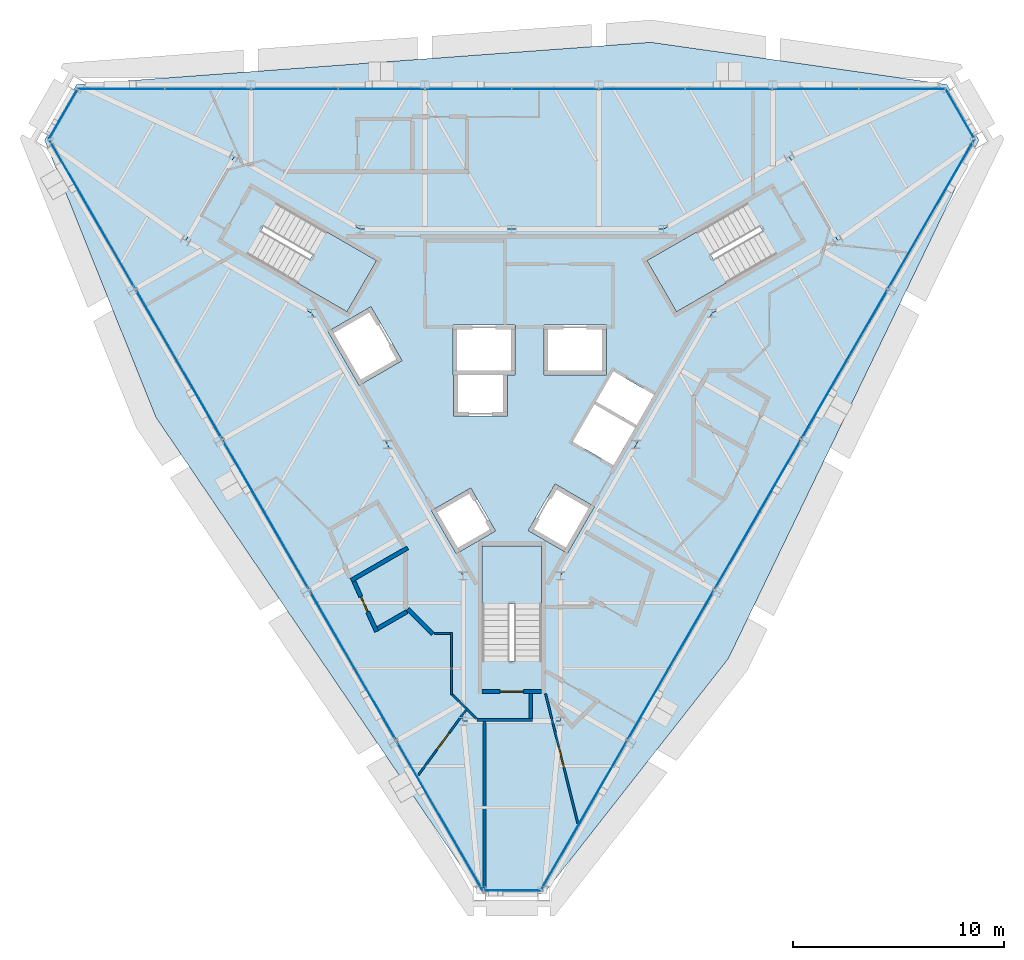
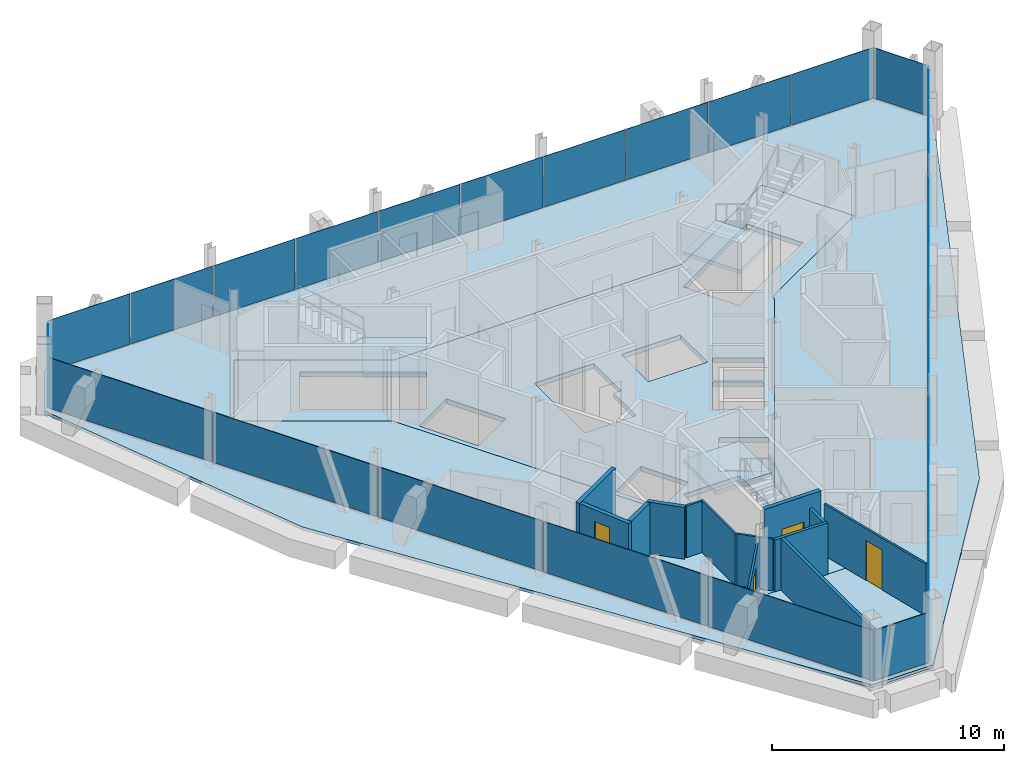
# One storey, part 7 of 11: 23 plates, 13 walls, 5 slabs, 4 doors, 4 openings, 9 elements without a shape of their own.
"""IFC4 building model written with IfcOpenShell, lengths in metres."""

from ifc_helpers import new_model, si_unit, direction, frame, frame_2d, origin, origin_2d, place, context, subcontext, project, spatial, polyline, rectangle, outline, extrude, material, layer, layer_set, type_object, element, fill, aggregate, save


model = new_model("IFC4")

# Units and contexts
model_context = context("Model", 3, precision=1e-05, world=origin(), true_north=direction((0.0, 1.0)))
body_context = subcontext(model_context, "Body", "Model", "MODEL_VIEW")
ifc_project = project(units=[si_unit("LENGTHUNIT", "METRE"), si_unit("AREAUNIT", "SQUARE_METRE"), si_unit("VOLUMEUNIT", "CUBIC_METRE"), si_unit("PLANEANGLEUNIT", "RADIAN"), si_unit("MASSUNIT", "GRAM", prefix="KILO")], contexts=[model_context])

# Site, building, storey
site_placement = place(None, origin())
site = spatial("IfcSite", under=ifc_project, at=site_placement, CompositionType="ELEMENT")
building_placement = place(site_placement, origin())
building = spatial("IfcBuilding", under=site, at=building_placement, Name="Verrane Prism Tower", CompositionType="ELEMENT")
storey_placement = place(building_placement, frame((0.0, 0.0, 267.699951171875)))
storey = spatial("IfcBuildingStorey", under=building, at=storey_placement, Name="L67", CompositionType="ELEMENT", Elevation=267.699951171875)

# Slabs
ifc_material_1 = material(Name="Concrete C35/45", Category="concrete")
ifc_layer_1 = layer(ifc_material_1, 0.159912109375)
ifc_layer_set_1 = layer_set([ifc_layer_1], Name="Composite floor slab")
slab_type_1 = type_object("IfcSlabType", Name="Composite floor slab", PredefinedType="FLOOR", material=ifc_layer_set_1)
slab_1_placement = place(storey_placement, frame((0.0, 0.0, -0.159912109375)))
element("IfcSlab", 1, at=slab_1_placement, inside=storey, type_object=slab_type_1, Name="Floor slab L67", PredefinedType="FLOOR", context=body_context, shape_type="SweptSolid", body=[
    extrude(outline(polyline([(10.256591796875, -13.53515625), (1.51904296875, -24.6689453125), (-1.51904296875, -24.6689453125), (-16.85009765625, -2.114990234375), (-22.12353515625, 11.01904296875), (-20.6044921875, 13.64990234375), (6.593505859375, 15.64990234375), (20.6044921875, 13.64990234375), (22.12353515625, 11.01904296875), (10.256591796875, -13.53515625)]), holes=[polyline([(15.43994140625, 6.260009765625), (13.139892578125, 10.239990234375), (7.179931640625, 6.800048828125), (0.0, 6.800048828125), (-7.179931640625, 6.800048828125), (-13.139892578125, 10.239990234375), (-15.43994140625, 6.260009765625), (-9.47998046875, 2.820068359375), (-5.889892578125, -3.39990234375), (-2.300048828125, -9.6201171875), (-2.300048828125, -16.5), (2.300048828125, -16.5), (2.300048828125, -9.6201171875), (5.889892578125, -3.39990234375), (9.47998046875, 2.820068359375), (15.43994140625, 6.260009765625)])]), origin(), (0.0, 0.0, 1.0), 0.159912109375),
])
ifc_material_2 = material(Name="Concrete C40/50", Category="concrete")
ifc_layer_2 = layer(ifc_material_2, 0.25)
ifc_layer_set_2 = layer_set([ifc_layer_2], Name="Core floor slab 250 concrete C40/50")
slab_type_2 = type_object("IfcSlabType", Name="Core floor slab 250 concrete C40/50", PredefinedType="FLOOR", material=ifc_layer_set_2)
slab_2_placement = place(storey_placement, frame((0.0, 0.0, -0.25)))
element("IfcSlab", 2, at=slab_2_placement, inside=storey, type_object=slab_type_2, Name="Core floor L67", PredefinedType="FLOOR", context=body_context, shape_type="SweptSolid", body=[
    extrude(outline(polyline([(9.47998046875, 2.820068359375), (15.43994140625, 6.260009765625), (13.139892578125, 10.239990234375), (7.179931640625, 6.800048828125), (0.0, 6.800048828125), (-7.179931640625, 6.800048828125), (-13.139892578125, 10.239990234375), (-15.43994140625, 6.260009765625), (-9.47998046875, 2.820068359375), (-5.889892578125, -3.39990234375), (-2.300048828125, -9.6201171875), (-2.300048828125, -16.5), (2.300048828125, -16.5), (2.300048828125, -9.6201171875), (5.889892578125, -3.39990234375), (9.47998046875, 2.820068359375)]), holes=[polyline([(-1.39990234375, -8.199951171875), (1.39990234375, -8.199951171875), (1.39990234375, -13.639892578125), (-1.39990234375, -13.639892578125), (-1.39990234375, -8.199951171875)]), polyline([(-0.76708984375, -7.491943359375), (-2.62890625, -8.56689453125), (-3.803955078125, -6.531982421875), (-1.94189453125, -5.45703125), (-0.76708984375, -7.491943359375)]), polyline([(3.9140625, -6.341064453125), (2.638916015625, -8.550048828125), (0.777099609375, -7.47509765625), (2.052001953125, -5.26611328125), (3.9140625, -6.341064453125)]), polyline([(4.81494140625, -4.37890625), (2.888916015625, -3.26708984375), (3.9130859375, -1.490966796875), (5.841064453125, -2.60302734375), (4.81494140625, -4.37890625)]), polyline([(6.739990234375, -1.044921875), (5.916015625, -2.47412109375), (3.988037109375, -1.361083984375), (4.81396484375, 0.06689453125), (6.739990234375, -1.044921875)]), polyline([(-2.784912109375, -0.10009765625), (-2.784912109375, 2.25), (0.1650390625, 2.25), (0.1650390625, -0.10009765625), (-0.205078125, -0.10009765625), (-0.205078125, -2.050048828125), (-2.7548828125, -2.050048828125), (-2.7548828125, -0.10009765625), (-2.784912109375, -0.10009765625)]), polyline([(4.47509765625, 2.25), (4.47509765625, -0.10009765625), (1.52490234375, -0.10009765625), (1.52490234375, 2.25), (4.47509765625, 2.25)]), polyline([(-8.7041015625, 1.955078125), (-6.66796875, 3.1298828125), (-5.193115234375, 0.574951171875), (-7.22900390625, -0.60009765625), (-8.7041015625, 1.955078125)]), polyline([(-7.801025390625, 2.887939453125), (-12.512939453125, 5.60791015625), (-11.113037109375, 8.031982421875), (-6.40087890625, 5.31201171875), (-7.801025390625, 2.887939453125)]), polyline([(6.40087890625, 5.31201171875), (11.113037109375, 8.031982421875), (12.512939453125, 5.60791015625), (7.801025390625, 2.887939453125), (6.40087890625, 5.31201171875)])]), origin(), (0.0, 0.0, 1.0), 0.25),
])

# Curtain wall, plates
ifc_material_3 = material(Name="Aluminium framed insulated glazing", Category="aluminium")
curtain_wall_type_1 = type_object("IfcCurtainWallType", Name="Curtain wall CW-C 4200 module", PredefinedType="NOTDEFINED", material=ifc_material_3)
curtain_wall_1_placement = place(storey_placement, origin())
curtain_wall_1 = element("IfcCurtainWall", 3, at=curtain_wall_1_placement, inside=storey, type_object=curtain_wall_type_1, Name="Glazed curtain wall north face L67", PredefinedType="NOTDEFINED")
ifc_material_4 = material(Name="Low-iron insulating glass unit", Category="glass")
ifc_layer_3 = layer(ifc_material_4, 0.02392578125)
ifc_layer_set_3 = layer_set([ifc_layer_3], Name="Glazing panel IGU 24")
plate_type_1 = type_object("IfcPlateType", Name="Glazing panel IGU 24", PredefinedType="CURTAIN_PANEL", material=ifc_layer_set_3)
plate_1_placement = place(storey_placement, frame((18.47900390625, 13.447265625, 0.05029296875), z_axis=(0.0, 0.0, 1.0), x_axis=(-1.0, 0.0, 0.0)))
plate_1 = element("IfcPlate", 4, at=plate_1_placement, type_object=plate_type_1, Name="CW66.2 panel 1", PredefinedType="CURTAIN_PANEL", context=body_context, shape_type="SweptSolid", body=[
    extrude(rectangle(XDim=4.0341796875, YDim=0.02392578125, at=origin_2d()), origin(), (0.0, 0.0, 1.0), 2.673095703125),
])
plate_2_placement = place(storey_placement, frame((14.38232421875, 13.447265625, 0.05029296875), z_axis=(0.0, 0.0, 1.0), x_axis=(-1.0, 0.0, 0.0)))
plate_2 = element("IfcPlate", 5, at=plate_2_placement, type_object=plate_type_1, Name="CW66.2 panel 2", PredefinedType="CURTAIN_PANEL", context=body_context, shape_type="SweptSolid", body=[
    extrude(rectangle(XDim=4.059326171875, YDim=0.02392578125, at=origin_2d()), origin(), (0.0, 0.0, 1.0), 2.673095703125),
])
plate_3_placement = place(storey_placement, frame((10.27294921875, 13.447265625, 0.05029296875), z_axis=(0.0, 0.0, 1.0), x_axis=(-1.0, 0.0, 0.0)))
plate_3 = element("IfcPlate", 6, at=plate_3_placement, type_object=plate_type_1, Name="CW66.2 panel 3", PredefinedType="CURTAIN_PANEL", context=body_context, shape_type="SweptSolid", body=[
    extrude(rectangle(XDim=4.059326171875, YDim=0.02392578125, at=origin_2d()), origin(), (0.0, 0.0, 1.0), 2.673095703125),
])
plate_4_placement = place(storey_placement, frame((6.163818359375, 13.447265625, 0.05029296875), z_axis=(0.0, 0.0, 1.0), x_axis=(-1.0, 0.0, 0.0)))
plate_4 = element("IfcPlate", 7, at=plate_4_placement, type_object=plate_type_1, Name="CW66.2 panel 4", PredefinedType="CURTAIN_PANEL", context=body_context, shape_type="SweptSolid", body=[
    extrude(rectangle(XDim=4.059326171875, YDim=0.02392578125, at=origin_2d()), origin(), (0.0, 0.0, 1.0), 2.673095703125),
])
plate_5_placement = place(storey_placement, frame((2.0546875, 13.447265625, 0.05029296875), z_axis=(0.0, 0.0, 1.0), x_axis=(-1.0, 0.0, 0.0)))
plate_5 = element("IfcPlate", 8, at=plate_5_placement, type_object=plate_type_1, Name="CW66.2 panel 5", PredefinedType="CURTAIN_PANEL", context=body_context, shape_type="SweptSolid", body=[
    extrude(rectangle(XDim=4.059326171875, YDim=0.02392578125, at=origin_2d()), origin(), (0.0, 0.0, 1.0), 2.673095703125),
])
plate_6_placement = place(storey_placement, frame((-2.0546875, 13.447265625, 0.05029296875), z_axis=(0.0, 0.0, 1.0), x_axis=(-1.0, 0.0, 0.0)))
plate_6 = element("IfcPlate", 9, at=plate_6_placement, type_object=plate_type_1, Name="CW66.2 panel 6", PredefinedType="CURTAIN_PANEL", context=body_context, shape_type="SweptSolid", body=[
    extrude(rectangle(XDim=4.059326171875, YDim=0.02392578125, at=origin_2d()), origin(), (0.0, 0.0, 1.0), 2.673095703125),
])
plate_7_placement = place(storey_placement, frame((-6.163818359375, 13.447265625, 0.05029296875), z_axis=(0.0, 0.0, 1.0), x_axis=(-1.0, 0.0, 0.0)))
plate_7 = element("IfcPlate", 10, at=plate_7_placement, type_object=plate_type_1, Name="CW66.2 panel 7", PredefinedType="CURTAIN_PANEL", context=body_context, shape_type="SweptSolid", body=[
    extrude(rectangle(XDim=4.059326171875, YDim=0.02392578125, at=origin_2d()), origin(), (0.0, 0.0, 1.0), 2.673095703125),
])
plate_8_placement = place(storey_placement, frame((-10.27294921875, 13.447265625, 0.05029296875), z_axis=(0.0, 0.0, 1.0), x_axis=(-1.0, 0.0, 0.0)))
plate_8 = element("IfcPlate", 11, at=plate_8_placement, type_object=plate_type_1, Name="CW66.2 panel 8", PredefinedType="CURTAIN_PANEL", context=body_context, shape_type="SweptSolid", body=[
    extrude(rectangle(XDim=4.059326171875, YDim=0.02392578125, at=origin_2d()), origin(), (0.0, 0.0, 1.0), 2.673095703125),
])
plate_9_placement = place(storey_placement, frame((-14.38232421875, 13.447265625, 0.05029296875), z_axis=(0.0, 0.0, 1.0), x_axis=(-1.0, 0.0, 0.0)))
plate_9 = element("IfcPlate", 12, at=plate_9_placement, type_object=plate_type_1, Name="CW66.2 panel 9", PredefinedType="CURTAIN_PANEL", context=body_context, shape_type="SweptSolid", body=[
    extrude(rectangle(XDim=4.059326171875, YDim=0.02392578125, at=origin_2d()), origin(), (0.0, 0.0, 1.0), 2.673095703125),
])
plate_10_placement = place(storey_placement, frame((-18.50390625, 13.447265625, 0.05029296875), z_axis=(0.0, 0.0, 1.0), x_axis=(-1.0, 0.0, 0.0)))
plate_10 = element("IfcPlate", 13, at=plate_10_placement, type_object=plate_type_1, Name="CW66.2 panel 10", PredefinedType="CURTAIN_PANEL", context=body_context, shape_type="SweptSolid", body=[
    extrude(rectangle(XDim=4.084228515625, YDim=0.02392578125, at=origin_2d()), origin(), (0.0, 0.0, 1.0), 2.673095703125),
])
aggregate(curtain_wall_1, [plate_1, plate_2, plate_3, plate_4, plate_5, plate_6, plate_7, plate_8, plate_9, plate_10])

# Curtain wall, plate
ifc_material_5 = material(Name="Aluminium framed insulated glazing", Category="aluminium")
curtain_wall_type_2 = type_object("IfcCurtainWallType", Name="Curtain wall CW-A 8400 module", PredefinedType="NOTDEFINED", material=ifc_material_5)
curtain_wall_2_placement = place(storey_placement, origin())
curtain_wall_2 = element("IfcCurtainWall", 14, at=curtain_wall_2_placement, inside=storey, type_object=curtain_wall_type_2, Name="Glazed curtain wall north-east corner L67", PredefinedType="NOTDEFINED")
ifc_material_6 = material(Name="Low-iron insulating glass unit", Category="glass")
ifc_layer_4 = layer(ifc_material_6, 0.031982421875)
ifc_layer_set_4 = layer_set([ifc_layer_4], Name="Glazing panel IGU 32")
plate_type_2 = type_object("IfcPlateType", Name="Glazing panel IGU 32", PredefinedType="CURTAIN_PANEL", material=ifc_layer_set_4)
plate_11_placement = place(storey_placement, frame((21.21484375, 12.288818359375, 0.06982421875), z_axis=(0.0, 0.0, 1.0), x_axis=(-0.500002040855, 0.866024225493, 0.0)))
plate_11 = element("IfcPlate", 15, at=plate_11_placement, type_object=plate_type_2, Name="CW66.1 panel 1", PredefinedType="CURTAIN_PANEL", context=body_context, shape_type="SweptSolid", body=[
    extrude(rectangle(XDim=2.67529296875, YDim=0.031982421875, at=origin_2d()), origin(), (0.0, 0.0, 1.0), 2.653076171875),
])
aggregate(curtain_wall_2, [plate_11])

curtain_wall_3_placement = place(storey_placement, origin())
curtain_wall_3 = element("IfcCurtainWall", 16, at=curtain_wall_3_placement, inside=storey, type_object=curtain_wall_type_2, Name="Glazed curtain wall north-west corner L67", PredefinedType="NOTDEFINED")
plate_12_placement = place(storey_placement, frame((-21.25, 12.228271484375, 0.06982421875), z_axis=(0.0, 0.0, 1.0), x_axis=(-0.500002040855, -0.866024225493, 0.0)))
plate_12 = element("IfcPlate", 17, at=plate_12_placement, type_object=plate_type_2, Name="CW66.3 panel 1", PredefinedType="CURTAIN_PANEL", context=body_context, shape_type="SweptSolid", body=[
    extrude(rectangle(XDim=2.67529296875, YDim=0.031982421875, at=origin_2d()), origin(), (0.0, 0.0, 1.0), 2.653076171875),
])
aggregate(curtain_wall_3, [plate_12])

# Curtain wall, plates
curtain_wall_4_placement = place(storey_placement, origin())
curtain_wall_4 = element("IfcCurtainWall", 18, at=curtain_wall_4_placement, inside=storey, type_object=curtain_wall_type_2, Name="Glazed curtain wall south-west face L67", PredefinedType="NOTDEFINED")
plate_13_placement = place(storey_placement, frame((-15.7548828125, 0.393798828125, 0.06982421875), z_axis=(0.0, 0.0, 1.0), x_axis=(0.500000938868, -0.866024861728, 0.0)))
plate_13 = element("IfcPlate", 19, at=plate_13_placement, type_object=plate_type_2, Name="CW66.4 panel 2", PredefinedType="CURTAIN_PANEL", context=body_context, shape_type="SweptSolid", body=[
    extrude(rectangle(XDim=8.1484375, YDim=0.031982421875, at=origin_2d()), origin(), (0.0, 0.0, 1.0), 2.653076171875),
])
plate_14_placement = place(storey_placement, frame((-11.645751953125, -6.7236328125, 0.06982421875), z_axis=(0.0, 0.0, 1.0), x_axis=(0.500000938868, -0.866024861728, 0.0)))
plate_14 = element("IfcPlate", 20, at=plate_14_placement, type_object=plate_type_2, Name="CW66.4 panel 3", PredefinedType="CURTAIN_PANEL", context=body_context, shape_type="SweptSolid", body=[
    extrude(rectangle(XDim=8.1484375, YDim=0.031982421875, at=origin_2d()), origin(), (0.0, 0.0, 1.0), 2.653076171875),
])
plate_15_placement = place(storey_placement, frame((-7.536376953125, -13.841064453125, 0.06982421875), z_axis=(0.0, 0.0, 1.0), x_axis=(0.500000938868, -0.866024861728, 0.0)))
plate_15 = element("IfcPlate", 21, at=plate_15_placement, type_object=plate_type_2, Name="CW66.4 panel 4", PredefinedType="CURTAIN_PANEL", context=body_context, shape_type="SweptSolid", body=[
    extrude(rectangle(XDim=8.1484375, YDim=0.031982421875, at=origin_2d()), origin(), (0.0, 0.0, 1.0), 2.653076171875),
])

# Curtain wall, plate
curtain_wall_5_placement = place(storey_placement, origin())
curtain_wall_5 = element("IfcCurtainWall", 22, at=curtain_wall_5_placement, inside=storey, type_object=curtain_wall_type_2, Name="Glazed curtain wall south corner L67", PredefinedType="NOTDEFINED")
plate_16_placement = place(storey_placement, frame((0.034912109375, -24.51708984375, 0.06982421875), z_axis=(0.0, 0.0, 1.0), x_axis=(1.0, 0.0, 0.0)))
plate_16 = element("IfcPlate", 23, at=plate_16_placement, type_object=plate_type_2, Name="CW66.5 panel 1", PredefinedType="CURTAIN_PANEL", context=body_context, shape_type="SweptSolid", body=[
    extrude(rectangle(XDim=2.67529296875, YDim=0.031982421875, at=origin_2d()), origin(), (0.0, 0.0, 1.0), 2.653076171875),
])
aggregate(curtain_wall_5, [plate_16])

# Curtain wall, plates
curtain_wall_6_placement = place(storey_placement, origin())
curtain_wall_6 = element("IfcCurtainWall", 24, at=curtain_wall_6_placement, inside=storey, type_object=curtain_wall_type_2, Name="Glazed curtain wall south-east face L67", PredefinedType="NOTDEFINED")
plate_17_placement = place(storey_placement, frame((3.43603515625, -20.943115234375, 0.06982421875), z_axis=(0.0, 0.0, 1.0), x_axis=(0.500000938868, 0.866024861728, 0.0)))
plate_17 = element("IfcPlate", 25, at=plate_17_placement, type_object=plate_type_2, Name="CW66.6 panel 1", PredefinedType="CURTAIN_PANEL", context=body_context, shape_type="SweptSolid", body=[
    extrude(rectangle(XDim=8.113525390625, YDim=0.031982421875, at=origin_2d()), origin(), (0.0, 0.0, 1.0), 2.653076171875),
])
plate_18_placement = place(storey_placement, frame((7.536376953125, -13.841064453125, 0.06982421875), z_axis=(0.0, 0.0, 1.0), x_axis=(0.500000938868, 0.866024861728, 0.0)))
plate_18 = element("IfcPlate", 26, at=plate_18_placement, type_object=plate_type_2, Name="CW66.6 panel 2", PredefinedType="CURTAIN_PANEL", context=body_context, shape_type="SweptSolid", body=[
    extrude(rectangle(XDim=8.1484375, YDim=0.031982421875, at=origin_2d()), origin(), (0.0, 0.0, 1.0), 2.653076171875),
])
plate_19_placement = place(storey_placement, frame((11.645751953125, -6.7236328125, 0.06982421875), z_axis=(0.0, 0.0, 1.0), x_axis=(0.500000938868, 0.866024861728, 0.0)))
plate_19 = element("IfcPlate", 27, at=plate_19_placement, type_object=plate_type_2, Name="CW66.6 panel 3", PredefinedType="CURTAIN_PANEL", context=body_context, shape_type="SweptSolid", body=[
    extrude(rectangle(XDim=8.1484375, YDim=0.031982421875, at=origin_2d()), origin(), (0.0, 0.0, 1.0), 2.653076171875),
])
plate_20_placement = place(storey_placement, frame((15.7548828125, 0.393798828125, 0.06982421875), z_axis=(0.0, 0.0, 1.0), x_axis=(0.500000938868, 0.866024861728, 0.0)))
plate_20 = element("IfcPlate", 28, at=plate_20_placement, type_object=plate_type_2, Name="CW66.6 panel 4", PredefinedType="CURTAIN_PANEL", context=body_context, shape_type="SweptSolid", body=[
    extrude(rectangle(XDim=8.1484375, YDim=0.031982421875, at=origin_2d()), origin(), (0.0, 0.0, 1.0), 2.653076171875),
])

# Stair, slab
ifc_material_7 = material(Name="Concrete C40/50", Category="concrete")
stair_type = type_object("IfcStairType", Name="Exit stair 1300 dog-leg precast concrete C40/50", PredefinedType="HALF_TURN_STAIR", material=ifc_material_7)
stair_1_placement = place(storey_placement, origin())
stair_1 = element("IfcStair", 29, at=stair_1_placement, inside=storey, type_object=stair_type, Name="Stair 1 L67", PredefinedType="HALF_TURN_STAIR")
ifc_material_8 = material(Name="Concrete C40/50", Category="concrete")
ifc_layer_5 = layer(ifc_material_8, 0.199951171875)
ifc_layer_set_5 = layer_set([ifc_layer_5], Name="Stair landing 200 precast concrete C40/50")
slab_type_3 = type_object("IfcSlabType", Name="Stair landing 200 precast concrete C40/50", PredefinedType="LANDING", material=ifc_layer_set_5)
slab_3_placement = place(storey_placement, frame((0.0, 0.0, 1.650146484375)))
slab_3 = element("IfcSlab", 30, at=slab_3_placement, type_object=slab_type_3, Name="Stair 1 landing 1", PredefinedType="LANDING", context=body_context, shape_type="SweptSolid", body=[
    extrude(outline(polyline([(8.791748046875, 6.6923828125), (6.4013671875, 5.3125), (7.801513671875, 2.887451171875), (10.191650390625, 4.267578125), (8.791748046875, 6.6923828125)])), origin(), (0.0, 0.0, 1.0), 0.199951171875),
])
aggregate(stair_1, [slab_3])

stair_2_placement = place(storey_placement, origin())
stair_2 = element("IfcStair", 31, at=stair_2_placement, inside=storey, type_object=stair_type, Name="Stair 2 L67", PredefinedType="HALF_TURN_STAIR")
slab_4_placement = place(storey_placement, frame((0.0, 0.0, 1.650146484375)))
slab_4 = element("IfcSlab", 32, at=slab_4_placement, type_object=slab_type_3, Name="Stair 2 landing 1", PredefinedType="LANDING", context=body_context, shape_type="SweptSolid", body=[
    extrude(outline(polyline([(-10.191650390625, 4.267578125), (-7.801513671875, 2.887451171875), (-6.4013671875, 5.3125), (-8.791748046875, 6.6923828125), (-10.191650390625, 4.267578125)])), origin(), (0.0, 0.0, 1.0), 0.199951171875),
])
aggregate(stair_2, [slab_4])

stair_3_placement = place(storey_placement, origin())
stair_3 = element("IfcStair", 33, at=stair_3_placement, inside=storey, type_object=stair_type, Name="Stair 3 L67", PredefinedType="HALF_TURN_STAIR")
slab_5_placement = place(storey_placement, frame((0.0, 0.0, 1.650146484375)))
slab_5 = element("IfcSlab", 34, at=slab_5_placement, type_object=slab_type_3, Name="Stair 3 landing 1", PredefinedType="LANDING", context=body_context, shape_type="SweptSolid", body=[
    extrude(outline(polyline([(1.39990234375, -10.9599609375), (1.39990234375, -8.199951171875), (-1.39990234375, -8.199951171875), (-1.39990234375, -10.9599609375), (1.39990234375, -10.9599609375)])), origin(), (0.0, 0.0, 1.0), 0.199951171875),
])
aggregate(stair_3, [slab_5])

# Plate
ifc_material_9 = material(Name="Warm limestone cladding", Category="masonry")
ifc_layer_6 = layer(ifc_material_9, 0.028076171875)
ifc_layer_set_6 = layer_set([ifc_layer_6], Name="Stone-faced spandrel panel 28")
plate_type_3 = type_object("IfcPlateType", Name="Stone-faced spandrel panel 28", PredefinedType="CURTAIN_PANEL", material=ifc_layer_set_6)
plate_21_placement = place(storey_placement, frame((-19.855224609375, 7.495849609375, 0.06982421875), z_axis=(0.0, 0.0, 1.0), x_axis=(0.500000938868, -0.866024861728, 0.0)))
plate_21 = element("IfcPlate", 35, at=plate_21_placement, type_object=plate_type_3, Name="CW66.4 panel 1", PredefinedType="CURTAIN_PANEL", context=body_context, shape_type="SweptSolid", body=[
    extrude(rectangle(XDim=8.113525390625, YDim=0.028076171875, at=origin_2d()), origin(), (0.0, 0.0, 1.0), 2.653076171875),
])

plate_22_placement = place(storey_placement, frame((-3.41845703125, -20.973388671875, 0.06982421875), z_axis=(0.0, 0.0, 1.0), x_axis=(0.500000938868, -0.866024861728, 0.0)))
plate_22 = element("IfcPlate", 36, at=plate_22_placement, type_object=plate_type_3, Name="CW66.4 panel 5", PredefinedType="CURTAIN_PANEL", context=body_context, shape_type="SweptSolid", body=[
    extrude(rectangle(XDim=8.183349609375, YDim=0.028076171875, at=origin_2d()), origin(), (0.0, 0.0, 1.0), 2.653076171875),
])

aggregate(curtain_wall_4, [plate_21, plate_13, plate_14, plate_15, plate_22])

plate_23_placement = place(storey_placement, frame((19.872802734375, 7.5263671875, 0.06982421875), z_axis=(0.0, 0.0, 1.0), x_axis=(0.500000938868, 0.866024861728, 0.0)))
plate_23 = element("IfcPlate", 37, at=plate_23_placement, type_object=plate_type_3, Name="CW66.6 panel 5", PredefinedType="CURTAIN_PANEL", context=body_context, shape_type="SweptSolid", body=[
    extrude(rectangle(XDim=8.183349609375, YDim=0.028076171875, at=origin_2d()), origin(), (0.0, 0.0, 1.0), 2.653076171875),
])

aggregate(curtain_wall_6, [plate_17, plate_18, plate_19, plate_20, plate_23])

# Wall, opening, door
ifc_material_10 = material(Name="Concrete C40/50", Category="concrete")
ifc_layer_7 = layer(ifc_material_10, 0.199951171875)
ifc_layer_set_7 = layer_set([ifc_layer_7], Name="CW-200 stair core wall concrete C40/50 3 h")
wall_type_1 = type_object("IfcWallType", Name="CW-200 stair core wall concrete C40/50 3 h", PredefinedType="PARTITIONING", material=ifc_layer_set_7)
wall_1_placement = place(storey_placement, frame((-1.39990234375, -15.10009765625, 0.0), z_axis=(0.0, 0.0, 1.0), x_axis=(1.0, 0.0, 0.0)))
wall_1 = element("IfcWall", 38, at=wall_1_placement, inside=storey, type_object=wall_type_1, Name="Stair 3 enclosure wall", PredefinedType="PARTITIONING", context=body_context, shape_type="SweptSolid", body=[
    extrude(rectangle(XDim=2.7998046875, YDim=0.199951171875, at=frame_2d((1.39990234375, 0.0))), origin(), (0.0, 0.0, 1.0), 3.449951171875),
])
opening_1_placement = place(wall_1_placement, frame((0.85009765625, 0.0, 0.0)))
opening_1 = element("IfcOpeningElement", 39, at=opening_1_placement, cuts=wall_1, Name="Opening D66502", PredefinedType="OPENING", context=body_context, shape_type="SweptSolid", body=[
    extrude(rectangle(XDim=1.10009765625, YDim=2.10009765625, at=frame_2d((0.550048828125, 1.050048828125))), frame((0.0, 0.10986328125, 0.0), z_axis=(0.0, -1.0, 0.0), x_axis=(1.0, 0.0, 0.0)), (0.0, 0.0, 1.0), 0.219970703125),
])
ifc_material_11 = material(Name="Timber veneered door leaf", Category="wood")
door_type_1 = type_object("IfcDoorType", Name="DR-1100x2100 FD90 single leaf stair", OperationType="NOTDEFINED", PredefinedType="DOOR", material=ifc_material_11)
door_1_placement = place(opening_1_placement, origin())
door_1 = element("IfcDoor", 40, at=door_1_placement, inside=storey, type_object=door_type_1, Name="Stair 3 door", OperationType="SINGLE_SWING_LEFT", OverallHeight=2.10009765625, OverallWidth=1.10009765625, PredefinedType="DOOR", context=body_context, shape_type="SweptSolid", body=[
    extrude(rectangle(XDim=1.10009765625, YDim=2.10009765625, at=frame_2d((0.550048828125, 1.050048828125))), frame((0.0, 0.02490234375, 0.0), z_axis=(0.0, -1.0, 0.0), x_axis=(1.0, 0.0, 0.0)), (0.0, 0.0, 1.0), 0.050048828125),
])
fill(opening_1, door_1)

ifc_material_12 = material(Name="Gypsum board partition", Category="other")
ifc_layer_8 = layer(ifc_material_12, 0.10009765625)
ifc_layer_set_8 = layer_set([ifc_layer_8], Name="PW-100 room partition")
wall_type_2 = type_object("IfcWallType", Name="PW-100 room partition", PredefinedType="PARTITIONING", material=ifc_layer_set_8)
wall_2_placement = place(storey_placement, frame((-2.16357421875, -15.968017578125, 0.0), z_axis=(0.0, 0.0, 1.0), x_axis=(-0.591435630084, -0.806352215516, 0.0)))
wall_2 = element("IfcWall", 41, at=wall_2_placement, inside=storey, type_object=wall_type_2, Name="Room partition 023", PredefinedType="PARTITIONING", context=body_context, shape_type="SweptSolid", body=[
    extrude(rectangle(XDim=3.82373046875, YDim=0.10009765625, at=frame_2d((1.911865234375, 0.0))), origin(), (0.0, 0.0, 1.0), 2.72314453125),
])
opening_2_placement = place(wall_2_placement, frame((1.357666015625, 0.0, 0.0)))
opening_2 = element("IfcOpeningElement", 42, at=opening_2_placement, cuts=wall_2, Name="Opening D66016", PredefinedType="OPENING", context=body_context, shape_type="SweptSolid", body=[
    extrude(rectangle(XDim=1.0, YDim=2.10009765625, at=frame_2d((0.5, 1.050048828125))), frame((0.0, 0.06005859375, 0.0), z_axis=(0.0, -1.0, 0.0), x_axis=(1.0, 0.0, 0.0)), (0.0, 0.0, 1.0), 0.1201171875),
])
ifc_material_13 = material(Name="Timber veneered door leaf", Category="wood")
door_type_2 = type_object("IfcDoorType", Name="DR-1000x2100 single leaf inner", OperationType="NOTDEFINED", PredefinedType="DOOR", material=ifc_material_13)
door_2_placement = place(opening_2_placement, origin())
door_2 = element("IfcDoor", 43, at=door_2_placement, inside=storey, type_object=door_type_2, Name="Living And Dining Room door", OperationType="SINGLE_SWING_LEFT", OverallHeight=2.10009765625, OverallWidth=1.0, PredefinedType="DOOR", context=body_context, shape_type="SweptSolid", body=[
    extrude(rectangle(XDim=1.0, YDim=2.10009765625, at=frame_2d((0.5, 1.050048828125))), frame((0.0, 0.02490234375, 0.0), z_axis=(0.0, -1.0, 0.0), x_axis=(1.0, 0.0, 0.0)), (0.0, 0.0, 1.0), 0.050048828125),
])
fill(opening_2, door_2)

# Walls
wall_3_placement = place(storey_placement, frame((-3.6640625, -12.339111328125, 0.0), z_axis=(0.0, 0.0, 1.0), x_axis=(1.0, 0.0, 0.0)))
element("IfcWall", 44, at=wall_3_placement, inside=storey, type_object=wall_type_2, Name="Room partition 024", PredefinedType="PARTITIONING", context=body_context, shape_type="SweptSolid", body=[
    extrude(rectangle(XDim=0.76416015625, YDim=0.10009765625, at=frame_2d((0.382080078125, 0.0))), origin(), (0.0, 0.0, 1.0), 2.72314453125),
])
wall_4_placement = place(storey_placement, frame((-2.85009765625, -15.25, 0.0), z_axis=(0.0, 0.0, 1.0), x_axis=(0.0, 1.0, 0.0)))
element("IfcWall", 45, at=wall_4_placement, inside=storey, type_object=wall_type_2, Name="Room partition 025", PredefinedType="PARTITIONING", context=body_context, shape_type="SweptSolid", body=[
    extrude(rectangle(XDim=2.9609375, YDim=0.10009765625, at=frame_2d((1.48046875, 0.0))), origin(), (0.0, 0.0, 1.0), 2.72314453125),
])
wall_5_placement = place(storey_placement, frame((-2.800537109375, -15.24951171875, 0.0), z_axis=(0.0, 0.0, 1.0), x_axis=(0.707106781187, -0.707106781187, 0.0)))
element("IfcWall", 46, at=wall_5_placement, inside=storey, type_object=wall_type_2, Name="Room partition 026", PredefinedType="PARTITIONING", context=body_context, shape_type="SweptSolid", body=[
    extrude(rectangle(XDim=1.60791015625, YDim=0.10009765625, at=frame_2d((0.803955078125, 0.0))), origin(), (0.0, 0.0, 1.0), 2.72314453125),
])

# Wall, opening, door
wall_6_placement = place(storey_placement, frame((3.127197265625, -21.334716796875, 0.0), z_axis=(0.0, 0.0, 1.0), x_axis=(-0.241554155251, 0.970387340231, 0.0)))
wall_6 = element("IfcWall", 47, at=wall_6_placement, inside=storey, type_object=wall_type_2, Name="Room partition 034", PredefinedType="PARTITIONING", context=body_context, shape_type="SweptSolid", body=[
    extrude(rectangle(XDim=6.322021484375, YDim=0.10009765625, at=frame_2d((3.1611328125, 0.0))), origin(), (0.0, 0.0, 1.0), 2.72314453125),
])
opening_3_placement = place(wall_6_placement, frame((2.721923828125, 0.0, 0.0)))
opening_3 = element("IfcOpeningElement", 48, at=opening_3_placement, cuts=wall_6, Name="Opening D66004", PredefinedType="OPENING", context=body_context, shape_type="SweptSolid", body=[
    extrude(rectangle(XDim=1.0, YDim=2.10009765625, at=frame_2d((0.5, 1.050048828125))), frame((0.0, 0.06005859375, 0.0), z_axis=(0.0, -1.0, 0.0), x_axis=(1.0, 0.0, 0.0)), (0.0, 0.0, 1.0), 0.1201171875),
])
door_3_placement = place(opening_3_placement, origin())
door_3 = element("IfcDoor", 49, at=door_3_placement, inside=storey, type_object=door_type_2, Name="Bedroom door", OperationType="SINGLE_SWING_LEFT", OverallHeight=2.10009765625, OverallWidth=1.0, PredefinedType="DOOR", context=body_context, shape_type="SweptSolid", body=[
    extrude(rectangle(XDim=1.0, YDim=2.10009765625, at=frame_2d((0.5, 1.050048828125))), frame((0.0, 0.02490234375, 0.0), z_axis=(0.0, -1.0, 0.0), x_axis=(1.0, 0.0, 0.0)), (0.0, 0.0, 1.0), 0.050048828125),
])
fill(opening_3, door_3)

# Walls
ifc_material_14 = material(Name="Gypsum board partition", Category="other")
ifc_layer_9 = layer(ifc_material_14, 0.14990234375)
ifc_layer_set_9 = layer_set([ifc_layer_9], Name="PW-150 demising wall 1 h")
wall_type_3 = type_object("IfcWallType", Name="PW-150 demising wall 1 h", PredefinedType="PARTITIONING", material=ifc_layer_set_9)
wall_7_placement = place(storey_placement, frame((-1.64990234375, -16.449951171875, 0.0), z_axis=(0.0, 0.0, 1.0), x_axis=(1.0, 0.0, 0.0)))
element("IfcWall", 50, at=wall_7_placement, inside=storey, type_object=wall_type_3, Name="Demising wall 029", PredefinedType="PARTITIONING", context=body_context, shape_type="SweptSolid", body=[
    extrude(rectangle(XDim=2.625, YDim=0.14990234375, at=frame_2d((1.3125, 0.0))), origin(), (0.0, 0.0, 1.0), 2.72314453125),
])
wall_8_placement = place(storey_placement, frame((-1.285888671875, -24.4208984375, 0.0), z_axis=(0.0, 0.0, 1.0), x_axis=(0.0, 1.0, 0.0)))
element("IfcWall", 51, at=wall_8_placement, inside=storey, type_object=wall_type_3, Name="Demising wall 030", PredefinedType="PARTITIONING", context=body_context, shape_type="SweptSolid", body=[
    extrude(rectangle(XDim=7.89599609375, YDim=0.14990234375, at=frame_2d((3.947998046875, 0.0))), origin(), (0.0, 0.0, 1.0), 2.72314453125),
])
wall_9_placement = place(storey_placement, frame((0.89990234375, -16.375, 0.0), z_axis=(0.0, 0.0, 1.0), x_axis=(0.0, 1.0, 0.0)))
element("IfcWall", 52, at=wall_9_placement, inside=storey, type_object=wall_type_3, Name="Demising wall 031", PredefinedType="PARTITIONING", context=body_context, shape_type="SweptSolid", body=[
    extrude(rectangle(XDim=1.175048828125, YDim=0.14990234375, at=frame_2d((0.58740234375, 0.0))), origin(), (0.0, 0.0, 1.0), 2.72314453125),
])

# Wall, opening, door
ifc_material_15 = material(Name="Gypsum board partition", Category="other")
ifc_layer_10 = layer(ifc_material_15, 0.199951171875)
ifc_layer_set_10 = layer_set([ifc_layer_10], Name="PW-200 plumbing wall")
wall_type_4 = type_object("IfcWallType", Name="PW-200 plumbing wall", PredefinedType="PARTITIONING", material=ifc_layer_set_10)
wall_10_placement = place(storey_placement, frame((-7.4736328125, -9.88525390625, 0.0), z_axis=(0.0, 0.0, 1.0), x_axis=(0.411787773138, -0.911279775862, 0.0)))
wall_10 = element("IfcWall", 53, at=wall_10_placement, inside=storey, type_object=wall_type_4, Name="Plumbing wall 013", PredefinedType="PARTITIONING", context=body_context, shape_type="SweptSolid", body=[
    extrude(rectangle(XDim=2.602783203125, YDim=0.199951171875, at=frame_2d((1.30126953125, 0.0))), origin(), (0.0, 0.0, 1.0), 2.72314453125),
])
opening_4_placement = place(wall_10_placement, frame((0.7900390625, 0.0, 0.0)))
opening_4 = element("IfcOpeningElement", 54, at=opening_4_placement, cuts=wall_10, Name="Opening D66017", PredefinedType="OPENING", context=body_context, shape_type="SweptSolid", body=[
    extrude(rectangle(XDim=0.800048828125, YDim=2.10009765625, at=frame_2d((0.39990234375, 1.050048828125))), frame((0.0, 0.10986328125, 0.0), z_axis=(0.0, -1.0, 0.0), x_axis=(1.0, 0.0, 0.0)), (0.0, 0.0, 1.0), 0.219970703125),
])
ifc_material_16 = material(Name="Timber veneered door leaf", Category="wood")
door_type_3 = type_object("IfcDoorType", Name="DR-800x2100 single leaf inner", OperationType="NOTDEFINED", PredefinedType="DOOR", material=ifc_material_16)
door_4_placement = place(opening_4_placement, origin())
door_4 = element("IfcDoor", 55, at=door_4_placement, inside=storey, type_object=door_type_3, Name="Bathroom door", OperationType="SINGLE_SWING_LEFT", OverallHeight=2.10009765625, OverallWidth=0.800048828125, PredefinedType="DOOR", context=body_context, shape_type="SweptSolid", body=[
    extrude(rectangle(XDim=0.800048828125, YDim=2.10009765625, at=frame_2d((0.39990234375, 1.050048828125))), frame((0.0, 0.02490234375, 0.0), z_axis=(0.0, -1.0, 0.0), x_axis=(1.0, 0.0, 0.0)), (0.0, 0.0, 1.0), 0.050048828125),
])
fill(opening_4, door_4)

# Walls
wall_11_placement = place(storey_placement, frame((-7.605712890625, -9.8349609375, 0.0), z_axis=(0.0, 0.0, 1.0), x_axis=(0.866093395895, 0.499882215713, 0.0)))
element("IfcWall", 56, at=wall_11_placement, inside=storey, type_object=wall_type_4, Name="Plumbing wall 014", PredefinedType="PARTITIONING", context=body_context, shape_type="SweptSolid", body=[
    extrude(rectangle(XDim=3.086669921875, YDim=0.199951171875, at=frame_2d((1.54345703125, 0.0))), origin(), (0.0, 0.0, 1.0), 2.72314453125),
])
wall_12_placement = place(storey_placement, frame((-6.34765625, -12.111083984375, 0.0), z_axis=(0.0, 0.0, 1.0), x_axis=(0.866004001318, 0.500037068326, 0.0)))
element("IfcWall", 57, at=wall_12_placement, inside=storey, type_object=wall_type_4, Name="Plumbing wall 017", PredefinedType="PARTITIONING", context=body_context, shape_type="SweptSolid", body=[
    extrude(rectangle(XDim=1.58984375, YDim=0.199951171875, at=frame_2d((0.794921875, 0.0))), origin(), (0.0, 0.0, 1.0), 2.72314453125),
])
wall_13_placement = place(storey_placement, frame((-4.919921875, -11.18798828125, 0.0), z_axis=(0.0, 0.0, 1.0), x_axis=(0.707106781187, -0.707106781187, 0.0)))
element("IfcWall", 58, at=wall_13_placement, inside=storey, type_object=wall_type_4, Name="Plumbing wall 020", PredefinedType="PARTITIONING", context=body_context, shape_type="SweptSolid", body=[
    extrude(rectangle(XDim=1.677734375, YDim=0.199951171875, at=frame_2d((0.8388671875, 0.0))), origin(), (0.0, 0.0, 1.0), 2.72314453125),
])

save(model, "model.ifc")
